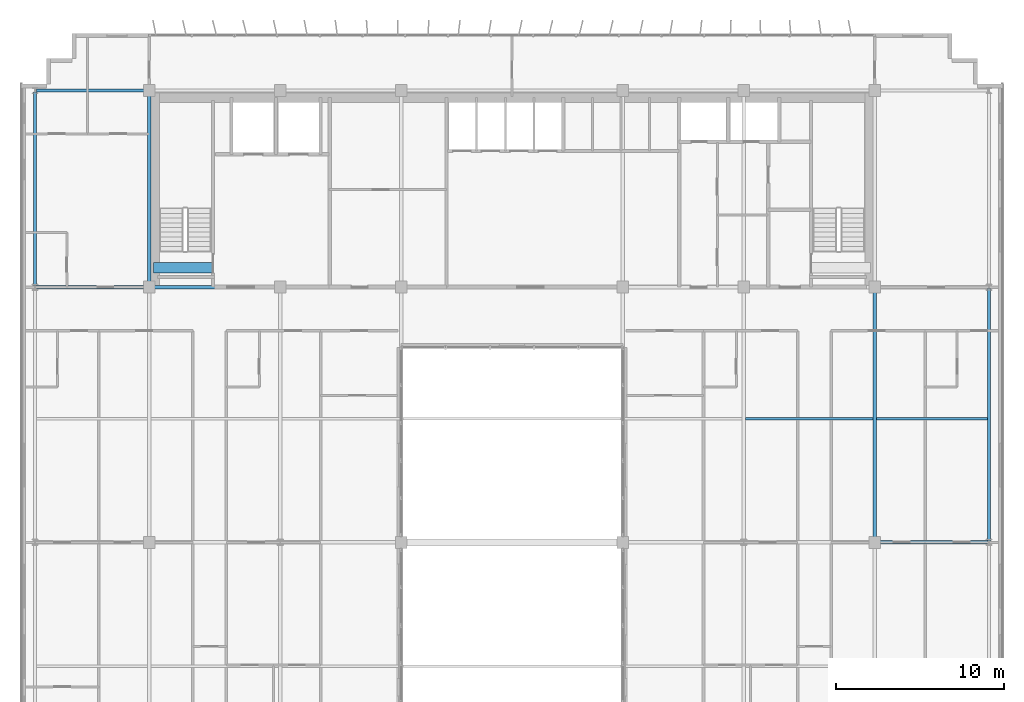
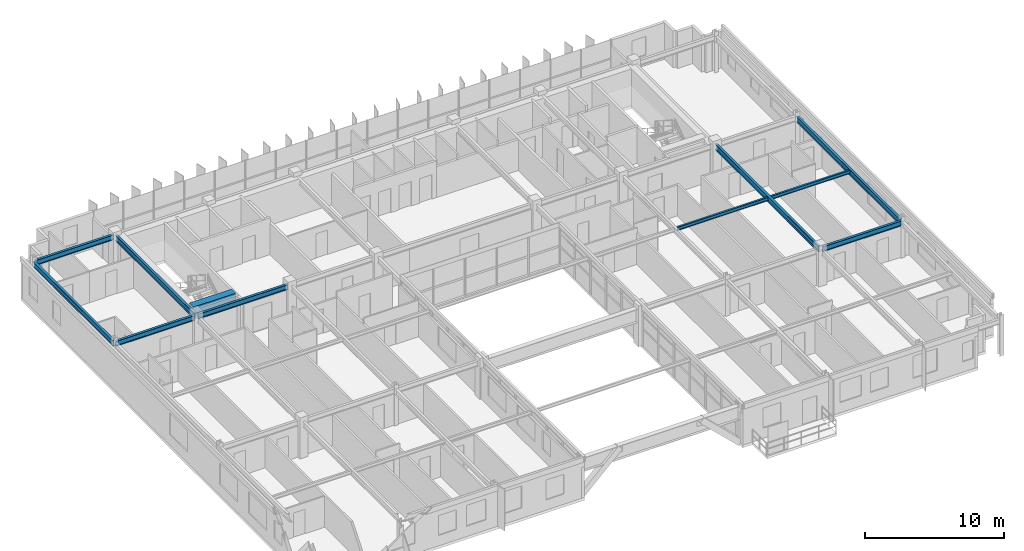
# One storey, part 18 of 37: 11 beams.
"""IFC4 building model written with IfcOpenShell, lengths in metres."""

from ifc_helpers import new_model, si_unit, direction, frame, origin, origin_2d, place, context, subcontext, project, spatial, rectangle, i_section, extrude, source, transform, mapped, material, material_profile, profile_set, type_object, element, save


model = new_model("IFC4")

# Units and contexts
model_context = context("Model", 3, precision=1e-05, world=origin(), true_north=direction((0.0, 1.0)))
body_context = subcontext(model_context, "Body", "Model", "MODEL_VIEW")
ifc_project = project(units=[si_unit("LENGTHUNIT", "METRE"), si_unit("AREAUNIT", "SQUARE_METRE"), si_unit("VOLUMEUNIT", "CUBIC_METRE"), si_unit("PLANEANGLEUNIT", "RADIAN"), si_unit("MASSUNIT", "GRAM", prefix="KILO")], contexts=[model_context])

# Site, building, storey
site_placement = place(None, origin())
site = spatial("IfcSite", under=ifc_project, at=site_placement, CompositionType="ELEMENT")
building_placement = place(site_placement, origin())
building = spatial("IfcBuilding", under=site, at=building_placement, Name="Trelvane Seafront Commons", CompositionType="ELEMENT")
storey_placement = place(building_placement, frame((0.0, 0.0, 201.300048828125)))
storey = spatial("IfcBuildingStorey", under=building, at=storey_placement, Name="L52", CompositionType="ELEMENT", Elevation=201.300048828125)

# Beams
ifc_material_1 = material(Name="Concrete C60/75", Category="concrete")
ifc_material_profile_1 = material_profile(ifc_material_1, rectangle(XDim=0.60009765625, YDim=0.89990234375, at=origin_2d()), Name="RC-600x900")
ifc_profile_set_1 = profile_set([ifc_material_profile_1], Name="Concrete C60/75")
beam_type_1 = type_object("IfcBeamType", Name="STR-LNT-RC600x900", PredefinedType="LINTEL", material=ifc_profile_set_1)
shared_shape_1 = source(origin(), body_context, "Body", "SweptSolid", [
    extrude(rectangle(XDim=0.60009765625, YDim=0.89990234375, at=origin_2d()), origin(), (0.0, 0.0, 1.0), 3.5498046875),
])
beam_1_placement = place(storey_placement, frame((15.85009765625, 34.550048828125, 2.77001953125), z_axis=(1.0, 0.0, 0.0), x_axis=(0.0, 1.0, 0.0)))
element("IfcBeam", 1, at=beam_1_placement, inside=storey, type_object=beam_type_1, Name="L52 Core Coupling Lintel Beam CB-67", PredefinedType="LINTEL", context=body_context, shape_type="MappedRepresentation", body=[
    mapped(shared_shape_1, transform((0.0, 0.0, 0.0), x_axis=(1.0, 0.0, 0.0), y_axis=(0.0, 1.0, 0.0), z_axis=(0.0, 0.0, 1.0), scale=1.0)),
])
ifc_material_2 = material(Name="Steel SM355 (S355)", Category="steel")
ifc_material_profile_2 = material_profile(ifc_material_2, i_section(OverallWidth=0.199951171875, OverallDepth=0.5, WebThickness=0.010009765625, FlangeThickness=0.01611328125, at=origin_2d()), Name="H-500x200x10x16")
ifc_profile_set_2 = profile_set([ifc_material_profile_2], Name="Steel SM355 (S355)")
beam_type_2 = type_object("IfcBeamType", Name="STR-BM-H500", PredefinedType="BEAM", material=ifc_profile_set_2)
shared_shape_2 = source(origin(), body_context, "Body", "SweptSolid", [
    extrude(i_section(OverallWidth=0.199951171875, OverallDepth=0.5, WebThickness=0.010009765625, FlangeThickness=0.01611328125, at=origin_2d()), origin(), (0.0, 0.0, 1.0), 14.89990234375),
])
beam_2_placement = place(storey_placement, frame((58.800048828125, 18.35009765625, 2.969970703125), z_axis=(0.0, 1.0, 0.0), x_axis=(-1.0, 0.0, 0.0)))
element("IfcBeam", 2, at=beam_2_placement, inside=storey, type_object=beam_type_2, Name="L52 Primary Girder G-48", PredefinedType="BEAM", context=body_context, shape_type="MappedRepresentation", body=[
    mapped(shared_shape_2, transform((0.0, 0.0, 0.0), x_axis=(1.0, 0.0, 0.0), y_axis=(0.0, 1.0, 0.0), z_axis=(0.0, 0.0, 1.0), scale=1.0)),
])
shared_shape_3 = source(origin(), body_context, "Body", "SweptSolid", [
    extrude(i_section(OverallWidth=0.199951171875, OverallDepth=0.5, WebThickness=0.010009765625, FlangeThickness=0.01611328125, at=origin_2d()), origin(), (0.0, 0.0, 1.0), 11.39990234375),
])
beam_3_placement = place(storey_placement, frame((15.60009765625, 33.550048828125, 2.969970703125), z_axis=(0.0, 1.0, 0.0), x_axis=(-1.0, 0.0, 0.0)))
element("IfcBeam", 3, at=beam_3_placement, inside=storey, type_object=beam_type_2, Name="L52 Primary Girder G-34", PredefinedType="BEAM", context=body_context, shape_type="MappedRepresentation", body=[
    mapped(shared_shape_3, transform((0.0, 0.0, 0.0), x_axis=(1.0, 0.0, 0.0), y_axis=(0.0, 1.0, 0.0), z_axis=(0.0, 0.0, 1.0), scale=1.0)),
])
ifc_material_profile_3 = material_profile(ifc_material_2, i_section(OverallWidth=0.199951171875, OverallDepth=0.449951171875, WebThickness=0.009033203125, FlangeThickness=0.013916015625, at=origin_2d()), Name="H-450x200x9x14")
ifc_profile_set_3 = profile_set([ifc_material_profile_3], Name="Steel SM355 (S355)")
beam_type_3 = type_object("IfcBeamType", Name="STR-SPD-H450", PredefinedType="SPANDREL", material=ifc_profile_set_3)
shared_shape_4 = source(origin(), body_context, "Body", "SweptSolid", [
    extrude(i_section(OverallWidth=0.199951171875, OverallDepth=0.449951171875, WebThickness=0.009033203125, FlangeThickness=0.013916015625, at=origin_2d()), origin(), (0.0, 0.0, 1.0), 6.5625),
])
for number, where, z_axis, x_axis, name in (
    (4, (58.949951171875, 18.199951171875, 2.994873046875), (1.0, 0.0, 0.0), (0.0, 1.0, 0.0), "L52 Primary Girder G-14"),
    (5, (8.887451171875, 33.39990234375, 2.994873046875), (1.0, 0.0, 0.0), (0.0, 1.0, 0.0), "L52 Primary Girder G-15"),
    (6, (8.887451171875, 45.10009765625, 2.994873046875), (1.0, 0.0, 0.0), (0.0, 1.0, 0.0), "L52 Primary Girder G-22"),
):
    element("IfcBeam", number, at=place(storey_placement, frame(where, z_axis=z_axis, x_axis=x_axis)), inside=storey, type_object=beam_type_3, Name=name, PredefinedType="SPANDREL", context=body_context, shape_type="MappedRepresentation", body=[
        mapped(shared_shape_4, transform((0.0, 0.0, 0.0), x_axis=(1.0, 0.0, 0.0), y_axis=(0.0, 1.0, 0.0), z_axis=(0.0, 0.0, 1.0), scale=1.0)),
    ])
shared_shape_5 = source(origin(), body_context, "Body", "SweptSolid", [
    extrude(i_section(OverallWidth=0.199951171875, OverallDepth=0.449951171875, WebThickness=0.009033203125, FlangeThickness=0.013916015625, at=origin_2d()), origin(), (0.0, 0.0, 1.0), 7.5),
])
beam_4_placement = place(storey_placement, frame((15.75, 33.39990234375, 2.994873046875), z_axis=(1.0, 0.0, 0.0), x_axis=(0.0, 1.0, 0.0)))
element("IfcBeam", 7, at=beam_4_placement, inside=storey, type_object=beam_type_3, Name="L52 Primary Girder G-16", PredefinedType="SPANDREL", context=body_context, shape_type="MappedRepresentation", body=[
    mapped(shared_shape_5, transform((0.0, 0.0, 0.0), x_axis=(1.0, 0.0, 0.0), y_axis=(0.0, 1.0, 0.0), z_axis=(0.0, 0.0, 1.0), scale=1.0)),
])
shared_shape_6 = source(origin(), body_context, "Body", "SweptSolid", [
    extrude(i_section(OverallWidth=0.199951171875, OverallDepth=0.5, WebThickness=0.010009765625, FlangeThickness=0.01611328125, at=origin_2d()), origin(), (0.0, 0.0, 1.0), 15.02490234375),
])
beam_5_placement = place(storey_placement, frame((65.60009765625, 18.28759765625, 2.969970703125), z_axis=(0.0, 1.0, 0.0), x_axis=(-1.0, 0.0, 0.0)))
element("IfcBeam", 8, at=beam_5_placement, inside=storey, type_object=beam_type_2, Name="L52 Primary Girder G-51", PredefinedType="BEAM", context=body_context, shape_type="MappedRepresentation", body=[
    mapped(shared_shape_6, transform((0.0, 0.0, 0.0), x_axis=(1.0, 0.0, 0.0), y_axis=(0.0, 1.0, 0.0), z_axis=(0.0, 0.0, 1.0), scale=1.0)),
])
shared_shape_7 = source(origin(), body_context, "Body", "SweptSolid", [
    extrude(i_section(OverallWidth=0.199951171875, OverallDepth=0.5, WebThickness=0.010009765625, FlangeThickness=0.01611328125, at=origin_2d()), origin(), (0.0, 0.0, 1.0), 11.52490234375),
])
beam_6_placement = place(storey_placement, frame((8.800048828125, 33.487548828125, 2.969970703125), z_axis=(0.0, 1.0, 0.0), x_axis=(-1.0, 0.0, 0.0)))
element("IfcBeam", 9, at=beam_6_placement, inside=storey, type_object=beam_type_2, Name="L52 Primary Girder G-31", PredefinedType="BEAM", context=body_context, shape_type="MappedRepresentation", body=[
    mapped(shared_shape_7, transform((0.0, 0.0, 0.0), x_axis=(1.0, 0.0, 0.0), y_axis=(0.0, 1.0, 0.0), z_axis=(0.0, 0.0, 1.0), scale=1.0)),
])
ifc_material_profile_4 = material_profile(ifc_material_2, i_section(OverallWidth=0.14990234375, OverallDepth=0.300048828125, WebThickness=0.006591796875, FlangeThickness=0.009033203125, at=origin_2d()), Name="H-300x150x6.5x9")
ifc_profile_set_4 = profile_set([ifc_material_profile_4], Name="Steel SM355 (S355)")
beam_type_4 = type_object("IfcBeamType", Name="STR-JST-H300", PredefinedType="JOIST", material=ifc_profile_set_4)
shared_shape_8 = source(origin(), body_context, "Body", "SweptSolid", [
    extrude(i_section(OverallWidth=0.14990234375, OverallDepth=0.300048828125, WebThickness=0.006591796875, FlangeThickness=0.009033203125, at=origin_2d()), origin(), (0.0, 0.0, 1.0), 6.60009765625),
])
beam_7_placement = place(storey_placement, frame((58.89990234375, 25.550048828125, 3.070068359375), z_axis=(1.0, 0.0, 0.0), x_axis=(0.0, 1.0, 0.0)))
element("IfcBeam", 10, at=beam_7_placement, inside=storey, type_object=beam_type_4, Name="L52 Secondary Floor Joist B-66", PredefinedType="JOIST", context=body_context, shape_type="MappedRepresentation", body=[
    mapped(shared_shape_8, transform((0.0, 0.0, 0.0), x_axis=(1.0, 0.0, 0.0), y_axis=(0.0, 1.0, 0.0), z_axis=(0.0, 0.0, 1.0), scale=1.0)),
])
shared_shape_9 = source(origin(), body_context, "Body", "SweptSolid", [
    extrude(i_section(OverallWidth=0.14990234375, OverallDepth=0.300048828125, WebThickness=0.006591796875, FlangeThickness=0.009033203125, at=origin_2d()), origin(), (0.0, 0.0, 1.0), 7.599853515625),
])
beam_8_placement = place(storey_placement, frame((51.10009765625, 25.550048828125, 3.070068359375), z_axis=(1.0, 0.0, 0.0), x_axis=(0.0, 1.0, 0.0)))
element("IfcBeam", 11, at=beam_8_placement, inside=storey, type_object=beam_type_4, Name="L52 Secondary Floor Joist B-65", PredefinedType="JOIST", context=body_context, shape_type="MappedRepresentation", body=[
    mapped(shared_shape_9, transform((0.0, 0.0, 0.0), x_axis=(1.0, 0.0, 0.0), y_axis=(0.0, 1.0, 0.0), z_axis=(0.0, 0.0, 1.0), scale=1.0)),
])

save(model, "model.ifc")
